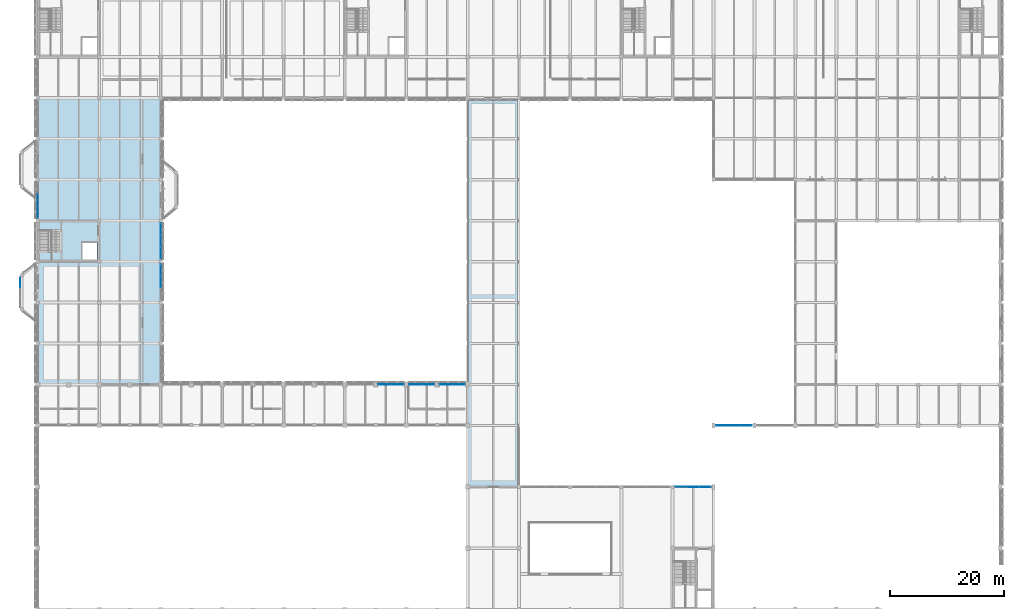
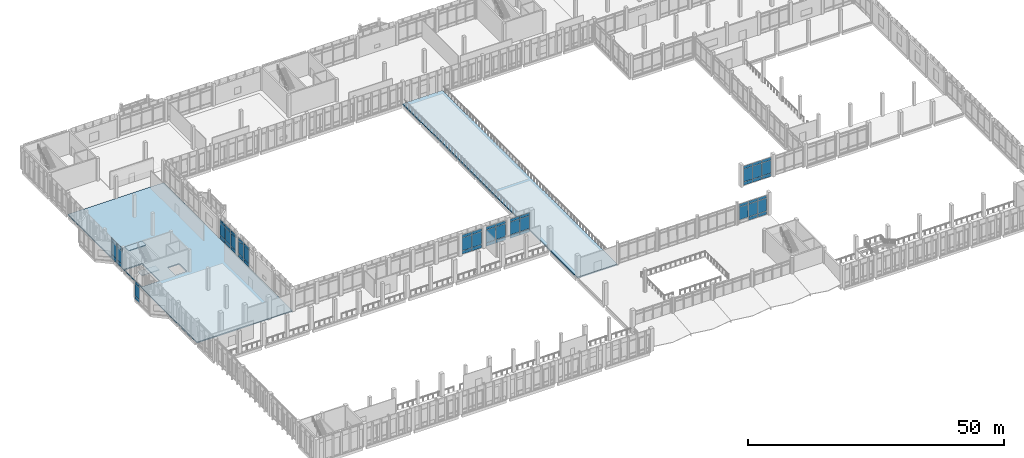
# One storey, part 143 of 180: 59 plates, 4 slabs, 10 elements without a shape of their own.
"""IFC4 building model written with IfcOpenShell, lengths in metres."""

from ifc_helpers import new_model, si_unit, direction, frame, origin, origin_2d, place, context, subcontext, project, spatial, polyline, rectangle, outline, extrude, material, layer, layer_set, type_object, element, aggregate, save


model = new_model("IFC4")

# Units and contexts
model_context = context("Model", 3, precision=1e-05, world=origin(), true_north=direction((0.0, 1.0)))
body_context = subcontext(model_context, "Body", "Model", "MODEL_VIEW")
ifc_project = project(units=[si_unit("LENGTHUNIT", "METRE"), si_unit("AREAUNIT", "SQUARE_METRE"), si_unit("VOLUMEUNIT", "CUBIC_METRE"), si_unit("PLANEANGLEUNIT", "RADIAN"), si_unit("MASSUNIT", "GRAM", prefix="KILO")], contexts=[model_context])

# Site, building, storey
site_placement = place(None, origin())
site = spatial("IfcSite", under=ifc_project, at=site_placement, CompositionType="ELEMENT")
building_placement = place(site_placement, origin())
building = spatial("IfcBuilding", under=site, at=building_placement, Name="Lusvemor Sports Hall", CompositionType="ELEMENT")
storey_placement = place(building_placement, frame((0.0, 0.0, 5.39990234375)))
storey = spatial("IfcBuildingStorey", under=building, at=storey_placement, Name="L01", CompositionType="ELEMENT", Elevation=5.39990234375)

# Curtain wall, plates
ifc_material_1 = material(Name="Thermally broken bronze-anodized aluminium", Category="aluminium")
curtain_wall_type_1 = type_object("IfcCurtainWallType", Name="CW_COURT_C", PredefinedType="NOTDEFINED", material=ifc_material_1)
curtain_wall_1_placement = place(storey_placement, origin())
curtain_wall_1 = element("IfcCurtainWall", 1, at=curtain_wall_1_placement, inside=storey, type_object=curtain_wall_type_1, Name="Curtain Wall CW-V1N-L01-5-B", PredefinedType="NOTDEFINED")
ifc_material_2 = material(Name="Solar-control laminated double glazing", Category="glass")
ifc_layer_1 = layer(ifc_material_2, 0.028076171875)
ifc_layer_set_1 = layer_set([ifc_layer_1], Name="Solar-control laminated double glazing")
plate_type_1 = type_object("IfcPlateType", Name="CW_PAN_GLZ_28", PredefinedType="CURTAIN_PANEL", material=ifc_layer_set_1)
plate_1_placement = place(storey_placement, frame((60.981201171875, 46.800048828125, 0.880126953125), z_axis=(0.0, 0.0, 1.0), x_axis=(1.0, 0.0, 0.0)))
plate_1 = element("IfcPlate", 2, at=plate_1_placement, type_object=plate_type_1, Name="CW03 panel 1.2", PredefinedType="CURTAIN_PANEL", context=body_context, shape_type="SweptSolid", body=[
    extrude(rectangle(XDim=2.172607421875, YDim=0.028076171875, at=origin_2d()), origin(), (0.0, 0.0, 1.0), 3.0400390625),
])
plate_2_placement = place(storey_placement, frame((60.981201171875, 46.800048828125, 3.97998046875), z_axis=(0.0, 0.0, 1.0), x_axis=(1.0, 0.0, 0.0)))
plate_2 = element("IfcPlate", 3, at=plate_2_placement, type_object=plate_type_1, Name="CW03 panel 1.3", PredefinedType="CURTAIN_PANEL", context=body_context, shape_type="SweptSolid", body=[
    extrude(rectangle(XDim=2.172607421875, YDim=0.028076171875, at=origin_2d()), origin(), (0.0, 0.0, 1.0), 0.659912109375),
])
plate_3_placement = place(storey_placement, frame((63.21875, 46.800048828125, 0.880126953125), z_axis=(0.0, 0.0, 1.0), x_axis=(1.0, 0.0, 0.0)))
plate_3 = element("IfcPlate", 4, at=plate_3_placement, type_object=plate_type_1, Name="CW03 panel 2.2", PredefinedType="CURTAIN_PANEL", context=body_context, shape_type="SweptSolid", body=[
    extrude(rectangle(XDim=2.172607421875, YDim=0.028076171875, at=origin_2d()), origin(), (0.0, 0.0, 1.0), 3.0400390625),
])
plate_4_placement = place(storey_placement, frame((63.21875, 46.800048828125, 3.97998046875), z_axis=(0.0, 0.0, 1.0), x_axis=(1.0, 0.0, 0.0)))
plate_4 = element("IfcPlate", 5, at=plate_4_placement, type_object=plate_type_1, Name="CW03 panel 2.3", PredefinedType="CURTAIN_PANEL", context=body_context, shape_type="SweptSolid", body=[
    extrude(rectangle(XDim=2.172607421875, YDim=0.028076171875, at=origin_2d()), origin(), (0.0, 0.0, 1.0), 0.659912109375),
])

curtain_wall_2_placement = place(storey_placement, origin())
curtain_wall_2 = element("IfcCurtainWall", 6, at=curtain_wall_2_placement, inside=storey, type_object=curtain_wall_type_1, Name="Curtain Wall CW-V1N-L01-6-A", PredefinedType="NOTDEFINED")
plate_5_placement = place(storey_placement, frame((66.38134765625, 46.800048828125, 0.880126953125), z_axis=(0.0, 0.0, 1.0), x_axis=(1.0, 0.0, 0.0)))
plate_5 = element("IfcPlate", 7, at=plate_5_placement, type_object=plate_type_1, Name="CW03 panel 1.2", PredefinedType="CURTAIN_PANEL", context=body_context, shape_type="SweptSolid", body=[
    extrude(rectangle(XDim=2.172607421875, YDim=0.028076171875, at=origin_2d()), origin(), (0.0, 0.0, 1.0), 3.0400390625),
])
plate_6_placement = place(storey_placement, frame((66.38134765625, 46.800048828125, 3.97998046875), z_axis=(0.0, 0.0, 1.0), x_axis=(1.0, 0.0, 0.0)))
plate_6 = element("IfcPlate", 8, at=plate_6_placement, type_object=plate_type_1, Name="CW03 panel 1.3", PredefinedType="CURTAIN_PANEL", context=body_context, shape_type="SweptSolid", body=[
    extrude(rectangle(XDim=2.172607421875, YDim=0.028076171875, at=origin_2d()), origin(), (0.0, 0.0, 1.0), 0.659912109375),
])
plate_7_placement = place(storey_placement, frame((68.61865234375, 46.800048828125, 0.880126953125), z_axis=(0.0, 0.0, 1.0), x_axis=(1.0, 0.0, 0.0)))
plate_7 = element("IfcPlate", 9, at=plate_7_placement, type_object=plate_type_1, Name="CW03 panel 2.2", PredefinedType="CURTAIN_PANEL", context=body_context, shape_type="SweptSolid", body=[
    extrude(rectangle(XDim=2.172607421875, YDim=0.028076171875, at=origin_2d()), origin(), (0.0, 0.0, 1.0), 3.0400390625),
])
plate_8_placement = place(storey_placement, frame((68.61865234375, 46.800048828125, 3.97998046875), z_axis=(0.0, 0.0, 1.0), x_axis=(1.0, 0.0, 0.0)))
plate_8 = element("IfcPlate", 10, at=plate_8_placement, type_object=plate_type_1, Name="CW03 panel 2.3", PredefinedType="CURTAIN_PANEL", context=body_context, shape_type="SweptSolid", body=[
    extrude(rectangle(XDim=2.172607421875, YDim=0.028076171875, at=origin_2d()), origin(), (0.0, 0.0, 1.0), 0.659912109375),
])

curtain_wall_3_placement = place(storey_placement, origin())
curtain_wall_3 = element("IfcCurtainWall", 11, at=curtain_wall_3_placement, inside=storey, type_object=curtain_wall_type_1, Name="Curtain Wall CW-V1N-L01-6-B", PredefinedType="NOTDEFINED")
plate_9_placement = place(storey_placement, frame((71.78125, 46.800048828125, 0.880126953125), z_axis=(0.0, 0.0, 1.0), x_axis=(1.0, 0.0, 0.0)))
plate_9 = element("IfcPlate", 12, at=plate_9_placement, type_object=plate_type_1, Name="CW03 panel 1.2", PredefinedType="CURTAIN_PANEL", context=body_context, shape_type="SweptSolid", body=[
    extrude(rectangle(XDim=2.172607421875, YDim=0.028076171875, at=origin_2d()), origin(), (0.0, 0.0, 1.0), 3.0400390625),
])
plate_10_placement = place(storey_placement, frame((71.78125, 46.800048828125, 3.97998046875), z_axis=(0.0, 0.0, 1.0), x_axis=(1.0, 0.0, 0.0)))
plate_10 = element("IfcPlate", 13, at=plate_10_placement, type_object=plate_type_1, Name="CW03 panel 1.3", PredefinedType="CURTAIN_PANEL", context=body_context, shape_type="SweptSolid", body=[
    extrude(rectangle(XDim=2.172607421875, YDim=0.028076171875, at=origin_2d()), origin(), (0.0, 0.0, 1.0), 0.659912109375),
])
plate_11_placement = place(storey_placement, frame((74.018798828125, 46.800048828125, 0.880126953125), z_axis=(0.0, 0.0, 1.0), x_axis=(1.0, 0.0, 0.0)))
plate_11 = element("IfcPlate", 14, at=plate_11_placement, type_object=plate_type_1, Name="CW03 panel 2.2", PredefinedType="CURTAIN_PANEL", context=body_context, shape_type="SweptSolid", body=[
    extrude(rectangle(XDim=2.172607421875, YDim=0.028076171875, at=origin_2d()), origin(), (0.0, 0.0, 1.0), 3.0400390625),
])
plate_12_placement = place(storey_placement, frame((74.018798828125, 46.800048828125, 3.97998046875), z_axis=(0.0, 0.0, 1.0), x_axis=(1.0, 0.0, 0.0)))
plate_12 = element("IfcPlate", 15, at=plate_12_placement, type_object=plate_type_1, Name="CW03 panel 2.3", PredefinedType="CURTAIN_PANEL", context=body_context, shape_type="SweptSolid", body=[
    extrude(rectangle(XDim=2.172607421875, YDim=0.028076171875, at=origin_2d()), origin(), (0.0, 0.0, 1.0), 0.659912109375),
])

ifc_material_3 = material(Name="Thermally broken bronze-anodized aluminium", Category="aluminium")
curtain_wall_type_2 = type_object("IfcCurtainWallType", Name="CW_FOYER_A", PredefinedType="NOTDEFINED", material=ifc_material_3)
curtain_wall_4_placement = place(storey_placement, origin())
curtain_wall_4 = element("IfcCurtainWall", 16, at=curtain_wall_4_placement, inside=storey, type_object=curtain_wall_type_2, Name="Curtain Wall CW-V4N-L01-4", PredefinedType="NOTDEFINED")
plate_13_placement = place(storey_placement, frame((113.11083984375, 28.800048828125, 0.8828125), z_axis=(0.0, 0.0, 1.0), x_axis=(1.0, 0.0, 0.0)))
plate_13 = element("IfcPlate", 17, at=plate_13_placement, type_object=plate_type_1, Name="CW01 panel 1.2", PredefinedType="CURTAIN_PANEL", context=body_context, shape_type="SweptSolid", body=[
    extrude(rectangle(XDim=2.001708984375, YDim=0.028076171875, at=origin_2d()), origin(), (0.0, 0.0, 1.0), 3.034912109375),
])
plate_14_placement = place(storey_placement, frame((113.11083984375, 28.800048828125, 3.982421875), z_axis=(0.0, 0.0, 1.0), x_axis=(1.0, 0.0, 0.0)))
plate_14 = element("IfcPlate", 18, at=plate_14_placement, type_object=plate_type_1, Name="CW01 panel 1.3", PredefinedType="CURTAIN_PANEL", context=body_context, shape_type="SweptSolid", body=[
    extrude(rectangle(XDim=2.001708984375, YDim=0.028076171875, at=origin_2d()), origin(), (0.0, 0.0, 1.0), 0.652587890625),
])
plate_15_placement = place(storey_placement, frame((115.199951171875, 28.800048828125, 0.8828125), z_axis=(0.0, 0.0, 1.0), x_axis=(1.0, 0.0, 0.0)))
plate_15 = element("IfcPlate", 19, at=plate_15_placement, type_object=plate_type_1, Name="CW01 panel 2.2", PredefinedType="CURTAIN_PANEL", context=body_context, shape_type="SweptSolid", body=[
    extrude(rectangle(XDim=2.03662109375, YDim=0.028076171875, at=origin_2d()), origin(), (0.0, 0.0, 1.0), 3.034912109375),
])
plate_16_placement = place(storey_placement, frame((115.199951171875, 28.800048828125, 3.982421875), z_axis=(0.0, 0.0, 1.0), x_axis=(1.0, 0.0, 0.0)))
plate_16 = element("IfcPlate", 20, at=plate_16_placement, type_object=plate_type_1, Name="CW01 panel 2.3", PredefinedType="CURTAIN_PANEL", context=body_context, shape_type="SweptSolid", body=[
    extrude(rectangle(XDim=2.03662109375, YDim=0.028076171875, at=origin_2d()), origin(), (0.0, 0.0, 1.0), 0.652587890625),
])
plate_17_placement = place(storey_placement, frame((117.2890625, 28.800048828125, 0.8828125), z_axis=(0.0, 0.0, 1.0), x_axis=(1.0, 0.0, 0.0)))
plate_17 = element("IfcPlate", 21, at=plate_17_placement, type_object=plate_type_1, Name="CW01 panel 3.2", PredefinedType="CURTAIN_PANEL", context=body_context, shape_type="SweptSolid", body=[
    extrude(rectangle(XDim=2.001708984375, YDim=0.028076171875, at=origin_2d()), origin(), (0.0, 0.0, 1.0), 3.034912109375),
])
plate_18_placement = place(storey_placement, frame((117.2890625, 28.800048828125, 3.982421875), z_axis=(0.0, 0.0, 1.0), x_axis=(1.0, 0.0, 0.0)))
plate_18 = element("IfcPlate", 22, at=plate_18_placement, type_object=plate_type_1, Name="CW01 panel 3.3", PredefinedType="CURTAIN_PANEL", context=body_context, shape_type="SweptSolid", body=[
    extrude(rectangle(XDim=2.001708984375, YDim=0.028076171875, at=origin_2d()), origin(), (0.0, 0.0, 1.0), 0.652587890625),
])

curtain_wall_5_placement = place(storey_placement, origin())
curtain_wall_5 = element("IfcCurtainWall", 23, at=curtain_wall_5_placement, inside=storey, type_object=curtain_wall_type_1, Name="Curtain Wall CW-V2N-L01-0", PredefinedType="NOTDEFINED")
plate_19_placement = place(storey_placement, frame((120.3095703125, 39.60009765625, 0.880126953125), z_axis=(0.0, 0.0, 1.0), x_axis=(1.0, 0.0, 0.0)))
plate_19 = element("IfcPlate", 24, at=plate_19_placement, type_object=plate_type_1, Name="CW03 panel 1.2", PredefinedType="CURTAIN_PANEL", context=body_context, shape_type="SweptSolid", body=[
    extrude(rectangle(XDim=2.00927734375, YDim=0.028076171875, at=origin_2d()), origin(), (0.0, 0.0, 1.0), 3.0400390625),
])
plate_20_placement = place(storey_placement, frame((120.3095703125, 39.60009765625, 3.97998046875), z_axis=(0.0, 0.0, 1.0), x_axis=(1.0, 0.0, 0.0)))
plate_20 = element("IfcPlate", 25, at=plate_20_placement, type_object=plate_type_1, Name="CW03 panel 1.3", PredefinedType="CURTAIN_PANEL", context=body_context, shape_type="SweptSolid", body=[
    extrude(rectangle(XDim=2.00927734375, YDim=0.028076171875, at=origin_2d()), origin(), (0.0, 0.0, 1.0), 0.659912109375),
])
plate_21_placement = place(storey_placement, frame((122.39990234375, 39.60009765625, 0.880126953125), z_axis=(0.0, 0.0, 1.0), x_axis=(1.0, 0.0, 0.0)))
plate_21 = element("IfcPlate", 26, at=plate_21_placement, type_object=plate_type_1, Name="CW03 panel 2.2", PredefinedType="CURTAIN_PANEL", context=body_context, shape_type="SweptSolid", body=[
    extrude(rectangle(XDim=2.041748046875, YDim=0.028076171875, at=origin_2d()), origin(), (0.0, 0.0, 1.0), 3.0400390625),
])
plate_22_placement = place(storey_placement, frame((122.39990234375, 39.60009765625, 3.97998046875), z_axis=(0.0, 0.0, 1.0), x_axis=(1.0, 0.0, 0.0)))
plate_22 = element("IfcPlate", 27, at=plate_22_placement, type_object=plate_type_1, Name="CW03 panel 2.3", PredefinedType="CURTAIN_PANEL", context=body_context, shape_type="SweptSolid", body=[
    extrude(rectangle(XDim=2.041748046875, YDim=0.028076171875, at=origin_2d()), origin(), (0.0, 0.0, 1.0), 0.659912109375),
])
plate_23_placement = place(storey_placement, frame((124.490478515625, 39.60009765625, 0.880126953125), z_axis=(0.0, 0.0, 1.0), x_axis=(1.0, 0.0, 0.0)))
plate_23 = element("IfcPlate", 28, at=plate_23_placement, type_object=plate_type_1, Name="CW03 panel 3.2", PredefinedType="CURTAIN_PANEL", context=body_context, shape_type="SweptSolid", body=[
    extrude(rectangle(XDim=2.00927734375, YDim=0.028076171875, at=origin_2d()), origin(), (0.0, 0.0, 1.0), 3.0400390625),
])
plate_24_placement = place(storey_placement, frame((124.490478515625, 39.60009765625, 3.97998046875), z_axis=(0.0, 0.0, 1.0), x_axis=(1.0, 0.0, 0.0)))
plate_24 = element("IfcPlate", 29, at=plate_24_placement, type_object=plate_type_1, Name="CW03 panel 3.3", PredefinedType="CURTAIN_PANEL", context=body_context, shape_type="SweptSolid", body=[
    extrude(rectangle(XDim=2.00927734375, YDim=0.028076171875, at=origin_2d()), origin(), (0.0, 0.0, 1.0), 0.659912109375),
])

ifc_material_4 = material(Name="Thermally broken bronze-anodized aluminium", Category="aluminium")
curtain_wall_type_3 = type_object("IfcCurtainWallType", Name="CW_WING_B", PredefinedType="NOTDEFINED", material=ifc_material_4)
curtain_wall_6_placement = place(storey_placement, origin())
curtain_wall_6 = element("IfcCurtainWall", 30, at=curtain_wall_6_placement, inside=storey, type_object=curtain_wall_type_3, Name="Curtain Wall CW-L01-W-0-4", PredefinedType="NOTDEFINED")
plate_25_placement = place(storey_placement, frame((0.0, 77.09619140625, 0.880126953125), z_axis=(0.0, 0.0, 1.0), x_axis=(0.0, 1.0, 0.0)))
plate_25 = element("IfcPlate", 31, at=plate_25_placement, type_object=plate_type_1, Name="CW02 panel 1.2", PredefinedType="CURTAIN_PANEL", context=body_context, shape_type="SweptSolid", body=[
    extrude(rectangle(XDim=2.0224609375, YDim=0.028076171875, at=origin_2d()), origin(), (0.0, 0.0, 1.0), 3.06005859375),
])
plate_26_placement = place(storey_placement, frame((0.0, 77.09619140625, 4.0), z_axis=(0.0, 0.0, 1.0), x_axis=(0.0, 1.0, 0.0)))
plate_26 = element("IfcPlate", 32, at=plate_26_placement, type_object=plate_type_1, Name="CW02 panel 1.3", PredefinedType="CURTAIN_PANEL", context=body_context, shape_type="SweptSolid", body=[
    extrude(rectangle(XDim=2.0224609375, YDim=0.028076171875, at=origin_2d()), origin(), (0.0, 0.0, 1.0), 0.659912109375),
])
plate_27_placement = place(storey_placement, frame((0.0, 79.199951171875, 0.880126953125), z_axis=(0.0, 0.0, 1.0), x_axis=(0.0, 1.0, 0.0)))
plate_27 = element("IfcPlate", 33, at=plate_27_placement, type_object=plate_type_1, Name="CW02 panel 2.2", PredefinedType="CURTAIN_PANEL", context=body_context, shape_type="SweptSolid", body=[
    extrude(rectangle(XDim=2.054931640625, YDim=0.028076171875, at=origin_2d()), origin(), (0.0, 0.0, 1.0), 3.06005859375),
])
plate_28_placement = place(storey_placement, frame((0.0, 79.199951171875, 4.0), z_axis=(0.0, 0.0, 1.0), x_axis=(0.0, 1.0, 0.0)))
plate_28 = element("IfcPlate", 34, at=plate_28_placement, type_object=plate_type_1, Name="CW02 panel 2.3", PredefinedType="CURTAIN_PANEL", context=body_context, shape_type="SweptSolid", body=[
    extrude(rectangle(XDim=2.054931640625, YDim=0.028076171875, at=origin_2d()), origin(), (0.0, 0.0, 1.0), 0.659912109375),
])

curtain_wall_7_placement = place(storey_placement, origin())
curtain_wall_7 = element("IfcCurtainWall", 35, at=curtain_wall_7_placement, inside=storey, type_object=curtain_wall_type_3, Name="Curtain Wall CW-L01-E-4-2", PredefinedType="NOTDEFINED")
plate_29_placement = place(storey_placement, frame((21.60009765625, 66.90380859375, 0.880126953125), z_axis=(0.0, 0.0, 1.0), x_axis=(0.0, -1.0, 0.0)))
plate_29 = element("IfcPlate", 36, at=plate_29_placement, type_object=plate_type_1, Name="CW02 panel 1.2", PredefinedType="CURTAIN_PANEL", context=body_context, shape_type="SweptSolid", body=[
    extrude(rectangle(XDim=2.0224609375, YDim=0.028076171875, at=origin_2d()), origin(), (0.0, 0.0, 1.0), 3.06005859375),
])
plate_30_placement = place(storey_placement, frame((21.60009765625, 66.90380859375, 4.0), z_axis=(0.0, 0.0, 1.0), x_axis=(0.0, -1.0, 0.0)))
plate_30 = element("IfcPlate", 37, at=plate_30_placement, type_object=plate_type_1, Name="CW02 panel 1.3", PredefinedType="CURTAIN_PANEL", context=body_context, shape_type="SweptSolid", body=[
    extrude(rectangle(XDim=2.0224609375, YDim=0.028076171875, at=origin_2d()), origin(), (0.0, 0.0, 1.0), 0.659912109375),
])
plate_31_placement = place(storey_placement, frame((21.60009765625, 64.800048828125, 0.880126953125), z_axis=(0.0, 0.0, 1.0), x_axis=(0.0, -1.0, 0.0)))
plate_31 = element("IfcPlate", 38, at=plate_31_placement, type_object=plate_type_1, Name="CW02 panel 2.2", PredefinedType="CURTAIN_PANEL", context=body_context, shape_type="SweptSolid", body=[
    extrude(rectangle(XDim=2.054931640625, YDim=0.028076171875, at=origin_2d()), origin(), (0.0, 0.0, 1.0), 3.06005859375),
])
plate_32_placement = place(storey_placement, frame((21.60009765625, 64.800048828125, 4.0), z_axis=(0.0, 0.0, 1.0), x_axis=(0.0, -1.0, 0.0)))
plate_32 = element("IfcPlate", 39, at=plate_32_placement, type_object=plate_type_1, Name="CW02 panel 2.3", PredefinedType="CURTAIN_PANEL", context=body_context, shape_type="SweptSolid", body=[
    extrude(rectangle(XDim=2.054931640625, YDim=0.028076171875, at=origin_2d()), origin(), (0.0, 0.0, 1.0), 0.659912109375),
])

curtain_wall_8_placement = place(storey_placement, origin())
curtain_wall_8 = element("IfcCurtainWall", 40, at=curtain_wall_8_placement, inside=storey, type_object=curtain_wall_type_3, Name="Curtain Wall CW-L01-E-4-3", PredefinedType="NOTDEFINED")
plate_33_placement = place(storey_placement, frame((21.60009765625, 74.103759765625, 0.880126953125), z_axis=(0.0, 0.0, 1.0), x_axis=(0.0, -1.0, 0.0)))
plate_33 = element("IfcPlate", 41, at=plate_33_placement, type_object=plate_type_1, Name="CW02 panel 1.2", PredefinedType="CURTAIN_PANEL", context=body_context, shape_type="SweptSolid", body=[
    extrude(rectangle(XDim=2.0224609375, YDim=0.028076171875, at=origin_2d()), origin(), (0.0, 0.0, 1.0), 3.06005859375),
])
plate_34_placement = place(storey_placement, frame((21.60009765625, 74.103759765625, 4.0), z_axis=(0.0, 0.0, 1.0), x_axis=(0.0, -1.0, 0.0)))
plate_34 = element("IfcPlate", 42, at=plate_34_placement, type_object=plate_type_1, Name="CW02 panel 1.3", PredefinedType="CURTAIN_PANEL", context=body_context, shape_type="SweptSolid", body=[
    extrude(rectangle(XDim=2.0224609375, YDim=0.028076171875, at=origin_2d()), origin(), (0.0, 0.0, 1.0), 0.659912109375),
])
plate_35_placement = place(storey_placement, frame((21.60009765625, 72.0, 0.880126953125), z_axis=(0.0, 0.0, 1.0), x_axis=(0.0, -1.0, 0.0)))
plate_35 = element("IfcPlate", 43, at=plate_35_placement, type_object=plate_type_1, Name="CW02 panel 2.2", PredefinedType="CURTAIN_PANEL", context=body_context, shape_type="SweptSolid", body=[
    extrude(rectangle(XDim=2.054931640625, YDim=0.028076171875, at=origin_2d()), origin(), (0.0, 0.0, 1.0), 3.06005859375),
])
plate_36_placement = place(storey_placement, frame((21.60009765625, 72.0, 4.0), z_axis=(0.0, 0.0, 1.0), x_axis=(0.0, -1.0, 0.0)))
plate_36 = element("IfcPlate", 44, at=plate_36_placement, type_object=plate_type_1, Name="CW02 panel 2.3", PredefinedType="CURTAIN_PANEL", context=body_context, shape_type="SweptSolid", body=[
    extrude(rectangle(XDim=2.054931640625, YDim=0.028076171875, at=origin_2d()), origin(), (0.0, 0.0, 1.0), 0.659912109375),
])
plate_37_placement = place(storey_placement, frame((21.60009765625, 69.896240234375, 0.880126953125), z_axis=(0.0, 0.0, 1.0), x_axis=(0.0, -1.0, 0.0)))
plate_37 = element("IfcPlate", 45, at=plate_37_placement, type_object=plate_type_1, Name="CW02 panel 3.2", PredefinedType="CURTAIN_PANEL", context=body_context, shape_type="SweptSolid", body=[
    extrude(rectangle(XDim=2.0224609375, YDim=0.028076171875, at=origin_2d()), origin(), (0.0, 0.0, 1.0), 3.06005859375),
])
plate_38_placement = place(storey_placement, frame((21.60009765625, 69.896240234375, 4.0), z_axis=(0.0, 0.0, 1.0), x_axis=(0.0, -1.0, 0.0)))
plate_38 = element("IfcPlate", 46, at=plate_38_placement, type_object=plate_type_1, Name="CW02 panel 3.3", PredefinedType="CURTAIN_PANEL", context=body_context, shape_type="SweptSolid", body=[
    extrude(rectangle(XDim=2.0224609375, YDim=0.028076171875, at=origin_2d()), origin(), (0.0, 0.0, 1.0), 0.659912109375),
])

curtain_wall_9_placement = place(storey_placement, origin())
curtain_wall_9 = element("IfcCurtainWall", 47, at=curtain_wall_9_placement, inside=storey, type_object=curtain_wall_type_2, Name="Curtain Wall CW-BOW-W1-L01-M", PredefinedType="NOTDEFINED")
plate_39_placement = place(storey_placement, frame((-3.10009765625, 64.749267578125, 0.882568359375), z_axis=(0.0, 0.0, 1.0), x_axis=(0.0, 1.0, 0.0)))
plate_39 = element("IfcPlate", 48, at=plate_39_placement, type_object=plate_type_1, Name="CW01 panel 3.2", PredefinedType="CURTAIN_PANEL", context=body_context, shape_type="SweptSolid", body=[
    extrude(rectangle(XDim=1.66162109375, YDim=0.028076171875, at=origin_2d()), origin(), (0.0, 0.0, 1.0), 2.81494140625),
])
plate_40_placement = place(storey_placement, frame((-3.10009765625, 64.749267578125, 3.7626953125), z_axis=(0.0, 0.0, 1.0), x_axis=(0.0, 1.0, 0.0)))
plate_40 = element("IfcPlate", 49, at=plate_40_placement, type_object=plate_type_1, Name="CW01 panel 3.3", PredefinedType="CURTAIN_PANEL", context=body_context, shape_type="SweptSolid", body=[
    extrude(rectangle(XDim=1.66162109375, YDim=0.028076171875, at=origin_2d()), origin(), (0.0, 0.0, 1.0), 0.652587890625),
])

# Plate
ifc_material_5 = material(Name="Emerald polychrome glazed ceramic cladding on Concrete C40/50 backing", Category="concrete")
ifc_layer_2 = layer(ifc_material_5, 0.048095703125)
ifc_layer_set_2 = layer_set([ifc_layer_2], Name="Emerald polychrome glazed ceramic cladding on Concrete C40/50 backing")
plate_type_2 = type_object("IfcPlateType", Name="CW_PAN_SPN_48", PredefinedType="CURTAIN_PANEL", material=ifc_layer_set_2)
plate_41_placement = place(storey_placement, frame((60.981201171875, 46.800048828125, 0.06005859375), z_axis=(0.0, 0.0, 1.0), x_axis=(1.0, 0.0, 0.0)))
plate_41 = element("IfcPlate", 50, at=plate_41_placement, type_object=plate_type_2, Name="CW03 panel 1.1", PredefinedType="CURTAIN_PANEL", context=body_context, shape_type="SweptSolid", body=[
    extrude(rectangle(XDim=2.172607421875, YDim=0.048095703125, at=origin_2d()), origin(), (0.0, 0.0, 1.0), 0.760009765625),
])

plate_42_placement = place(storey_placement, frame((63.21875, 46.800048828125, 0.06005859375), z_axis=(0.0, 0.0, 1.0), x_axis=(1.0, 0.0, 0.0)))
plate_42 = element("IfcPlate", 51, at=plate_42_placement, type_object=plate_type_2, Name="CW03 panel 2.1", PredefinedType="CURTAIN_PANEL", context=body_context, shape_type="SweptSolid", body=[
    extrude(rectangle(XDim=2.172607421875, YDim=0.048095703125, at=origin_2d()), origin(), (0.0, 0.0, 1.0), 0.760009765625),
])

aggregate(curtain_wall_1, [plate_41, plate_1, plate_2, plate_42, plate_3, plate_4])

plate_43_placement = place(storey_placement, frame((66.38134765625, 46.800048828125, 0.06005859375), z_axis=(0.0, 0.0, 1.0), x_axis=(1.0, 0.0, 0.0)))
plate_43 = element("IfcPlate", 52, at=plate_43_placement, type_object=plate_type_2, Name="CW03 panel 1.1", PredefinedType="CURTAIN_PANEL", context=body_context, shape_type="SweptSolid", body=[
    extrude(rectangle(XDim=2.172607421875, YDim=0.048095703125, at=origin_2d()), origin(), (0.0, 0.0, 1.0), 0.760009765625),
])

plate_44_placement = place(storey_placement, frame((68.61865234375, 46.800048828125, 0.06005859375), z_axis=(0.0, 0.0, 1.0), x_axis=(1.0, 0.0, 0.0)))
plate_44 = element("IfcPlate", 53, at=plate_44_placement, type_object=plate_type_2, Name="CW03 panel 2.1", PredefinedType="CURTAIN_PANEL", context=body_context, shape_type="SweptSolid", body=[
    extrude(rectangle(XDim=2.172607421875, YDim=0.048095703125, at=origin_2d()), origin(), (0.0, 0.0, 1.0), 0.760009765625),
])

aggregate(curtain_wall_2, [plate_43, plate_5, plate_6, plate_44, plate_7, plate_8])

plate_45_placement = place(storey_placement, frame((71.78125, 46.800048828125, 0.06005859375), z_axis=(0.0, 0.0, 1.0), x_axis=(1.0, 0.0, 0.0)))
plate_45 = element("IfcPlate", 54, at=plate_45_placement, type_object=plate_type_2, Name="CW03 panel 1.1", PredefinedType="CURTAIN_PANEL", context=body_context, shape_type="SweptSolid", body=[
    extrude(rectangle(XDim=2.172607421875, YDim=0.048095703125, at=origin_2d()), origin(), (0.0, 0.0, 1.0), 0.760009765625),
])

plate_46_placement = place(storey_placement, frame((74.018798828125, 46.800048828125, 0.06005859375), z_axis=(0.0, 0.0, 1.0), x_axis=(1.0, 0.0, 0.0)))
plate_46 = element("IfcPlate", 55, at=plate_46_placement, type_object=plate_type_2, Name="CW03 panel 2.1", PredefinedType="CURTAIN_PANEL", context=body_context, shape_type="SweptSolid", body=[
    extrude(rectangle(XDim=2.172607421875, YDim=0.048095703125, at=origin_2d()), origin(), (0.0, 0.0, 1.0), 0.760009765625),
])

aggregate(curtain_wall_3, [plate_45, plate_9, plate_10, plate_46, plate_11, plate_12])

plate_47_placement = place(storey_placement, frame((115.199951171875, 28.800048828125, 0.065185546875), z_axis=(0.0, 0.0, 1.0), x_axis=(1.0, 0.0, 0.0)))
plate_47 = element("IfcPlate", 56, at=plate_47_placement, type_object=plate_type_2, Name="CW01 panel 2.1", PredefinedType="CURTAIN_PANEL", context=body_context, shape_type="SweptSolid", body=[
    extrude(rectangle(XDim=2.03662109375, YDim=0.048095703125, at=origin_2d()), origin(), (0.0, 0.0, 1.0), 0.75244140625),
])

plate_48_placement = place(storey_placement, frame((117.2890625, 28.800048828125, 0.065185546875), z_axis=(0.0, 0.0, 1.0), x_axis=(1.0, 0.0, 0.0)))
plate_48 = element("IfcPlate", 57, at=plate_48_placement, type_object=plate_type_2, Name="CW01 panel 3.1", PredefinedType="CURTAIN_PANEL", context=body_context, shape_type="SweptSolid", body=[
    extrude(rectangle(XDim=2.001708984375, YDim=0.048095703125, at=origin_2d()), origin(), (0.0, 0.0, 1.0), 0.75244140625),
])

aggregate(curtain_wall_4, [plate_13, plate_14, plate_47, plate_15, plate_16, plate_48, plate_17, plate_18])

plate_49_placement = place(storey_placement, frame((120.3095703125, 39.60009765625, 0.06005859375), z_axis=(0.0, 0.0, 1.0), x_axis=(1.0, 0.0, 0.0)))
plate_49 = element("IfcPlate", 58, at=plate_49_placement, type_object=plate_type_2, Name="CW03 panel 1.1", PredefinedType="CURTAIN_PANEL", context=body_context, shape_type="SweptSolid", body=[
    extrude(rectangle(XDim=2.00927734375, YDim=0.048095703125, at=origin_2d()), origin(), (0.0, 0.0, 1.0), 0.760009765625),
])

plate_50_placement = place(storey_placement, frame((122.39990234375, 39.60009765625, 0.06005859375), z_axis=(0.0, 0.0, 1.0), x_axis=(1.0, 0.0, 0.0)))
plate_50 = element("IfcPlate", 59, at=plate_50_placement, type_object=plate_type_2, Name="CW03 panel 2.1", PredefinedType="CURTAIN_PANEL", context=body_context, shape_type="SweptSolid", body=[
    extrude(rectangle(XDim=2.041748046875, YDim=0.048095703125, at=origin_2d()), origin(), (0.0, 0.0, 1.0), 0.760009765625),
])

plate_51_placement = place(storey_placement, frame((124.490478515625, 39.60009765625, 0.06005859375), z_axis=(0.0, 0.0, 1.0), x_axis=(1.0, 0.0, 0.0)))
plate_51 = element("IfcPlate", 60, at=plate_51_placement, type_object=plate_type_2, Name="CW03 panel 3.1", PredefinedType="CURTAIN_PANEL", context=body_context, shape_type="SweptSolid", body=[
    extrude(rectangle(XDim=2.00927734375, YDim=0.048095703125, at=origin_2d()), origin(), (0.0, 0.0, 1.0), 0.760009765625),
])

aggregate(curtain_wall_5, [plate_49, plate_19, plate_20, plate_50, plate_21, plate_22, plate_51, plate_23, plate_24])

plate_52_placement = place(storey_placement, frame((0.0, 77.09619140625, 0.06005859375), z_axis=(0.0, 0.0, 1.0), x_axis=(0.0, 1.0, 0.0)))
plate_52 = element("IfcPlate", 61, at=plate_52_placement, type_object=plate_type_2, Name="CW02 panel 1.1", PredefinedType="CURTAIN_PANEL", context=body_context, shape_type="SweptSolid", body=[
    extrude(rectangle(XDim=2.0224609375, YDim=0.048095703125, at=origin_2d()), origin(), (0.0, 0.0, 1.0), 0.760009765625),
])

plate_53_placement = place(storey_placement, frame((0.0, 79.199951171875, 0.06005859375), z_axis=(0.0, 0.0, 1.0), x_axis=(0.0, 1.0, 0.0)))
plate_53 = element("IfcPlate", 62, at=plate_53_placement, type_object=plate_type_2, Name="CW02 panel 2.1", PredefinedType="CURTAIN_PANEL", context=body_context, shape_type="SweptSolid", body=[
    extrude(rectangle(XDim=2.054931640625, YDim=0.048095703125, at=origin_2d()), origin(), (0.0, 0.0, 1.0), 0.760009765625),
])

aggregate(curtain_wall_6, [plate_52, plate_25, plate_26, plate_53, plate_27, plate_28])

plate_54_placement = place(storey_placement, frame((21.60009765625, 66.90380859375, 0.06005859375), z_axis=(0.0, 0.0, 1.0), x_axis=(0.0, -1.0, 0.0)))
plate_54 = element("IfcPlate", 63, at=plate_54_placement, type_object=plate_type_2, Name="CW02 panel 1.1", PredefinedType="CURTAIN_PANEL", context=body_context, shape_type="SweptSolid", body=[
    extrude(rectangle(XDim=2.0224609375, YDim=0.048095703125, at=origin_2d()), origin(), (0.0, 0.0, 1.0), 0.760009765625),
])

plate_55_placement = place(storey_placement, frame((21.60009765625, 64.800048828125, 0.06005859375), z_axis=(0.0, 0.0, 1.0), x_axis=(0.0, -1.0, 0.0)))
plate_55 = element("IfcPlate", 64, at=plate_55_placement, type_object=plate_type_2, Name="CW02 panel 2.1", PredefinedType="CURTAIN_PANEL", context=body_context, shape_type="SweptSolid", body=[
    extrude(rectangle(XDim=2.054931640625, YDim=0.048095703125, at=origin_2d()), origin(), (0.0, 0.0, 1.0), 0.760009765625),
])

aggregate(curtain_wall_7, [plate_54, plate_29, plate_30, plate_55, plate_31, plate_32])

plate_56_placement = place(storey_placement, frame((21.60009765625, 74.103759765625, 0.06005859375), z_axis=(0.0, 0.0, 1.0), x_axis=(0.0, -1.0, 0.0)))
plate_56 = element("IfcPlate", 65, at=plate_56_placement, type_object=plate_type_2, Name="CW02 panel 1.1", PredefinedType="CURTAIN_PANEL", context=body_context, shape_type="SweptSolid", body=[
    extrude(rectangle(XDim=2.0224609375, YDim=0.048095703125, at=origin_2d()), origin(), (0.0, 0.0, 1.0), 0.760009765625),
])

plate_57_placement = place(storey_placement, frame((21.60009765625, 72.0, 0.06005859375), z_axis=(0.0, 0.0, 1.0), x_axis=(0.0, -1.0, 0.0)))
plate_57 = element("IfcPlate", 66, at=plate_57_placement, type_object=plate_type_2, Name="CW02 panel 2.1", PredefinedType="CURTAIN_PANEL", context=body_context, shape_type="SweptSolid", body=[
    extrude(rectangle(XDim=2.054931640625, YDim=0.048095703125, at=origin_2d()), origin(), (0.0, 0.0, 1.0), 0.760009765625),
])

plate_58_placement = place(storey_placement, frame((21.60009765625, 69.896240234375, 0.06005859375), z_axis=(0.0, 0.0, 1.0), x_axis=(0.0, -1.0, 0.0)))
plate_58 = element("IfcPlate", 67, at=plate_58_placement, type_object=plate_type_2, Name="CW02 panel 3.1", PredefinedType="CURTAIN_PANEL", context=body_context, shape_type="SweptSolid", body=[
    extrude(rectangle(XDim=2.0224609375, YDim=0.048095703125, at=origin_2d()), origin(), (0.0, 0.0, 1.0), 0.760009765625),
])

aggregate(curtain_wall_8, [plate_56, plate_33, plate_34, plate_57, plate_35, plate_36, plate_58, plate_37, plate_38])

plate_59_placement = place(storey_placement, frame((-3.10009765625, 64.749267578125, 0.065185546875), z_axis=(0.0, 0.0, 1.0), x_axis=(0.0, 1.0, 0.0)))
plate_59 = element("IfcPlate", 68, at=plate_59_placement, type_object=plate_type_2, Name="CW01 panel 3.1", PredefinedType="CURTAIN_PANEL", context=body_context, shape_type="SweptSolid", body=[
    extrude(rectangle(XDim=1.66162109375, YDim=0.048095703125, at=origin_2d()), origin(), (0.0, 0.0, 1.0), 0.75244140625),
])

aggregate(curtain_wall_9, [plate_59, plate_39, plate_40])

# Slabs
ifc_material_6 = material(Name="Concrete C40/50", Category="concrete")
ifc_layer_3 = layer(ifc_material_6, 0.340087890625)
ifc_layer_set_3 = layer_set([ifc_layer_3], Name="Concrete C40/50")
slab_type_1 = type_object("IfcSlabType", Name="SLAB_EXT_PROM_255", PredefinedType="FLOOR", material=ifc_layer_set_3)
slab_1_placement = place(storey_placement, frame((0.0, 0.0, -0.33984375)))
element("IfcSlab", 69, at=slab_1_placement, inside=storey, type_object=slab_type_1, Name="Slab L01 V6-PROM", PredefinedType="FLOOR", context=body_context, shape_type="SweptSolid", body=[
    extrude(outline(polyline([(75.60009765625, 28.800048828125), (84.60009765625, 28.800048828125), (84.60009765625, 97.199951171875), (75.60009765625, 97.199951171875), (75.60009765625, 28.800048828125)])), origin(), (0.0, 0.0, 1.0), 0.33984375),
])
ifc_material_7 = material(Name="Concrete C40/50", Category="concrete")
ifc_layer_4 = layer(ifc_material_7, 0.260009765625)
ifc_layer_set_4 = layer_set([ifc_layer_4], Name="Concrete C40/50")
slab_type_2 = type_object("IfcSlabType", Name="SLAB_INT_260", PredefinedType="FLOOR", material=ifc_layer_set_4)
slab_2_placement = place(storey_placement, frame((0.0, 0.0, -0.260009765625)))
element("IfcSlab", 70, at=slab_2_placement, inside=storey, type_object=slab_type_2, Name="Slab L01 V5-WEST", PredefinedType="FLOOR", context=body_context, shape_type="SweptSolid", body=[
    extrude(outline(polyline([(0.0, 46.800048828125), (21.60009765625, 46.800048828125), (21.60009765625, 97.199951171875), (0.0, 97.199951171875), (0.0, 46.800048828125)]), holes=[polyline([(0.159912109375, 68.56005859375), (4.139892578125, 68.56005859375), (4.139892578125, 75.43994140625), (0.159912109375, 75.43994140625), (0.159912109375, 68.56005859375)]), polyline([(7.800048828125, 68.800048828125), (10.39990234375, 68.800048828125), (10.39990234375, 71.800048828125), (7.800048828125, 71.800048828125), (7.800048828125, 68.800048828125)])]), origin(), (0.0, 0.0, 1.0), 0.260009765625),
])

# Stair, slabs
ifc_material_8 = material(Name="Concrete C40/50", Category="concrete")
stair_type = type_object("IfcStairType", Name="STAIR_CORE_540_C", PredefinedType="HALF_TURN_STAIR", material=ifc_material_8)
stair_placement = place(storey_placement, origin())
stair = element("IfcStair", 71, at=stair_placement, inside=storey, type_object=stair_type, Name="Escape Stair C3 (L01)", PredefinedType="HALF_TURN_STAIR")
ifc_material_9 = material(Name="Concrete C40/50", Category="concrete")
ifc_layer_5 = layer(ifc_material_9, 0.199951171875)
ifc_layer_set_5 = layer_set([ifc_layer_5], Name="Concrete C40/50")
slab_type_3 = type_object("IfcSlabType", Name="SLAB_LAND_200", PredefinedType="LANDING", material=ifc_layer_set_5)
slab_3_placement = place(storey_placement, frame((0.0, 0.0, 2.5)))
slab_3 = element("IfcSlab", 72, at=slab_3_placement, type_object=slab_type_3, Name="ST05 landing 1", PredefinedType="LANDING", context=body_context, shape_type="SweptSolid", body=[
    extrude(outline(polyline([(0.179931640625, 68.580078125), (4.1201171875, 68.580078125), (4.1201171875, 70.139892578125), (0.179931640625, 70.139892578125), (0.179931640625, 68.580078125)])), origin(), (0.0, 0.0, 1.0), 0.2001953125),
])
slab_4_placement = place(storey_placement, frame((0.0, 0.0, 5.2001953125)))
slab_4 = element("IfcSlab", 73, at=slab_4_placement, type_object=slab_type_3, Name="ST05 landing 2", PredefinedType="LANDING", context=body_context, shape_type="SweptSolid", body=[
    extrude(outline(polyline([(0.179931640625, 73.840087890625), (4.1201171875, 73.840087890625), (4.1201171875, 75.419921875), (0.179931640625, 75.419921875), (0.179931640625, 73.840087890625)])), origin(), (0.0, 0.0, 1.0), 0.199951171875),
])
aggregate(stair, [slab_3, slab_4])

save(model, "model.ifc")
